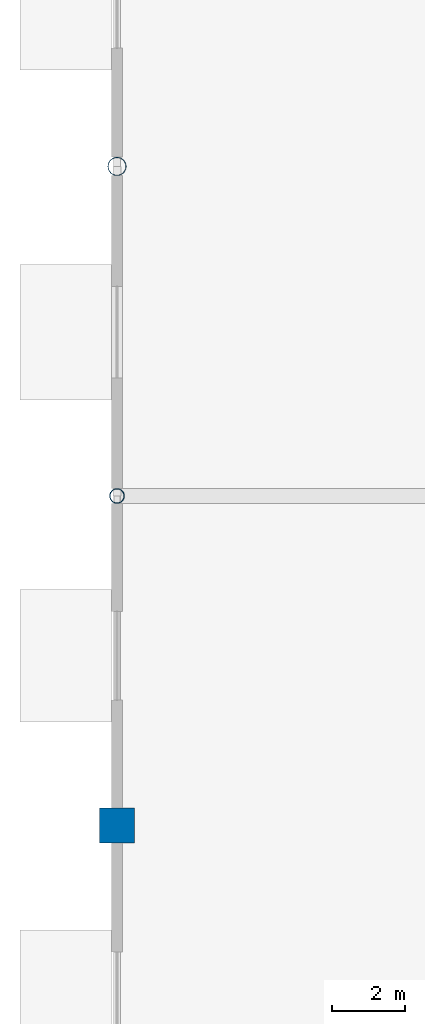
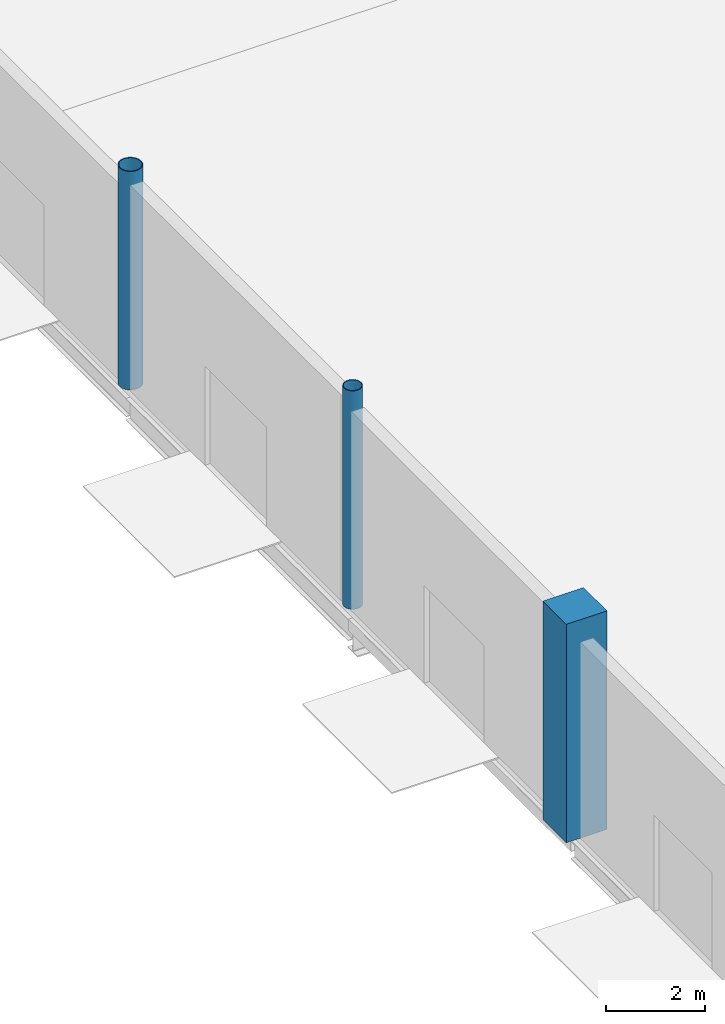
# One storey, part 3 of 94: 3 columns.
"""IFC4 building model written with IfcOpenShell, lengths in metres."""

from ifc_helpers import new_model, si_unit, direction, frame, origin, origin_2d, place, context, subcontext, project, spatial, rectangle, hollow_circle, extrude, material, material_profile, profile_set, type_object, element, save


model = new_model("IFC4")

# Units and contexts
model_context = context("Model", 3, precision=1e-05, world=origin(), true_north=direction((0.0, 1.0)))
body_context = subcontext(model_context, "Body", "Model", "MODEL_VIEW")
ifc_project = project(units=[si_unit("LENGTHUNIT", "METRE"), si_unit("AREAUNIT", "SQUARE_METRE"), si_unit("VOLUMEUNIT", "CUBIC_METRE"), si_unit("PLANEANGLEUNIT", "RADIAN"), si_unit("MASSUNIT", "GRAM", prefix="KILO")], contexts=[model_context])

# Site, building, storey
site_placement = place(None, origin())
site = spatial("IfcSite", under=ifc_project, at=site_placement, CompositionType="ELEMENT")
building_placement = place(site_placement, origin())
building = spatial("IfcBuilding", under=site, at=building_placement, Name="Qamarlyn Nura Convention Centre", CompositionType="ELEMENT")
storey_placement = place(building_placement, origin())
storey = spatial("IfcBuildingStorey", under=building, at=storey_placement, Name="L00", CompositionType="ELEMENT", Elevation=0.0)

# Columns
ifc_material_1 = material(Name="Pearl-white PVDF steel ASTM A500 Grade C", Category="steel")
ifc_material_profile_1 = material_profile(ifc_material_1, hollow_circle(Radius=0.25390625, WallThickness=0.02001953125, at=origin_2d()), Name="CHS508X20")
ifc_profile_set_1 = profile_set([ifc_material_profile_1], Name="Pearl-white PVDF steel ASTM A500 Grade C")
column_type_1 = type_object("IfcColumnType", Name="COL-HALL-1", PredefinedType="COLUMN", material=ifc_profile_set_1)
column_1_placement = place(storey_placement, frame((0.0, 54.0, 0.0), z_axis=(0.0, 0.0, 1.0), x_axis=(1.0, 0.0, 0.0)))
element("IfcColumn", 1, at=column_1_placement, inside=storey, type_object=column_type_1, Name="L00 column 1/G", PredefinedType="COLUMN", context=body_context, shape_type="SweptSolid", body=[
    extrude(hollow_circle(Radius=0.25390625, WallThickness=0.02001953125, at=origin_2d()), origin(), (0.0, 0.0, 1.0), 5.39990234375),
])
ifc_material_2 = material(Name="Concrete C50/60", Category="concrete")
ifc_material_profile_2 = material_profile(ifc_material_2, rectangle(XDim=0.949951171875, YDim=0.949951171875, at=origin_2d()), Name="RC 950x950")
ifc_profile_set_2 = profile_set([ifc_material_profile_2], Name="Concrete C50/60")
column_type_2 = type_object("IfcColumnType", Name="COL-HALL-2", PredefinedType="COLUMN", material=ifc_profile_set_2)
column_2_placement = place(storey_placement, frame((0.0, 36.0, 0.0), z_axis=(0.0, 0.0, 1.0), x_axis=(1.0, 0.0, 0.0)))
element("IfcColumn", 2, at=column_2_placement, inside=storey, type_object=column_type_2, Name="L00 column 1/E", PredefinedType="COLUMN", context=body_context, shape_type="SweptSolid", body=[
    extrude(rectangle(XDim=0.949951171875, YDim=0.949951171875, at=origin_2d()), origin(), (0.0, 0.0, 1.0), 5.39990234375),
])
ifc_material_profile_3 = material_profile(ifc_material_1, hollow_circle(Radius=0.203125, WallThickness=0.01611328125, at=origin_2d()), Name="CHS406.4X16")
ifc_profile_set_3 = profile_set([ifc_material_profile_3], Name="Pearl-white PVDF steel ASTM A500 Grade C")
column_type_3 = type_object("IfcColumnType", Name="COL-TUBE-1", PredefinedType="COLUMN", material=ifc_profile_set_3)
column_3_placement = place(storey_placement, frame((0.0, 45.0, 0.0), z_axis=(0.0, 0.0, 1.0), x_axis=(1.0, 0.0, 0.0)))
element("IfcColumn", 3, at=column_3_placement, inside=storey, type_object=column_type_3, Name="L00 column 1/F", PredefinedType="COLUMN", context=body_context, shape_type="SweptSolid", body=[
    extrude(hollow_circle(Radius=0.203125, WallThickness=0.01611328125, at=origin_2d()), origin(), (0.0, 0.0, 1.0), 5.39990234375),
])

save(model, "model.ifc")
